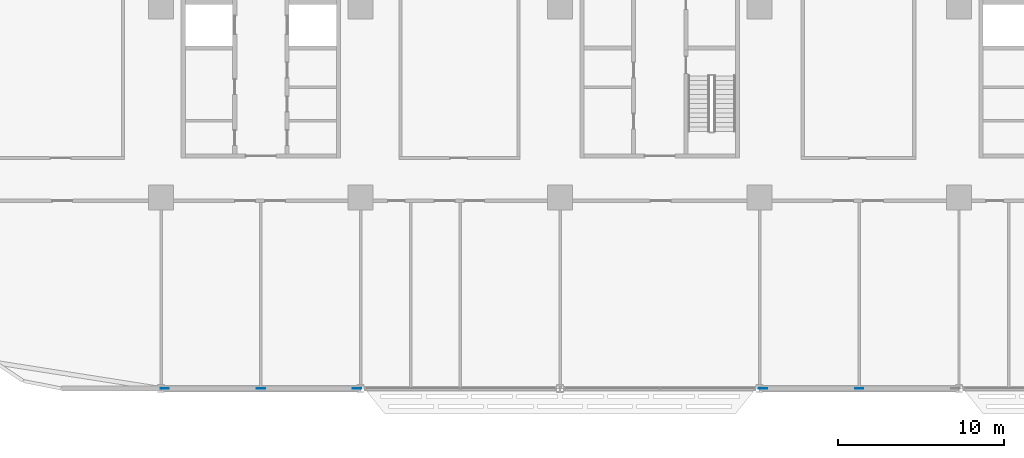
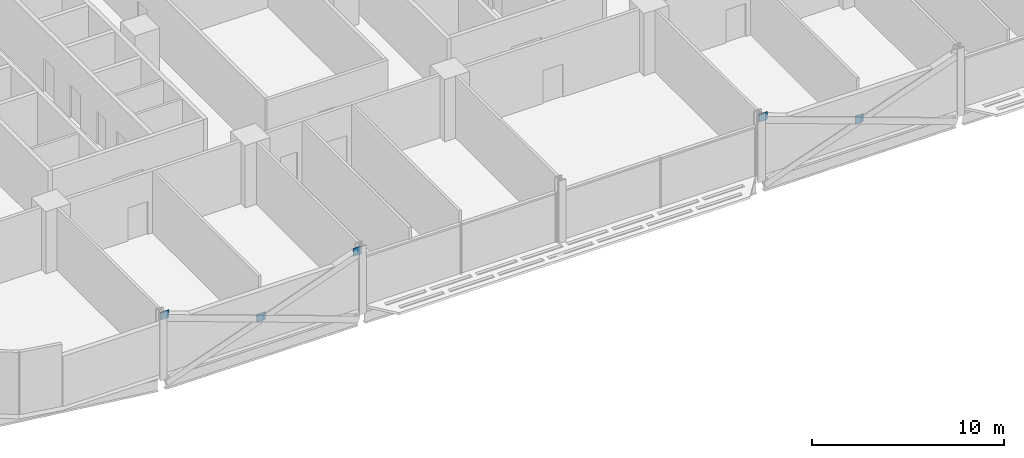
# One storey, part 19 of 29: 5 discrete accessories.
"""IFC4 building model written with IfcOpenShell, lengths in metres."""

from ifc_helpers import new_model, si_unit, direction, frame, origin, origin_2d, place, context, subcontext, project, spatial, rectangle, extrude, material, layer, layer_set, type_object, element, save


model = new_model("IFC4")

# Units and contexts
model_context = context("Model", 3, precision=1e-05, world=origin(), true_north=direction((0.0, 1.0)))
body_context = subcontext(model_context, "Body", "Model", "MODEL_VIEW")
ifc_project = project(units=[si_unit("LENGTHUNIT", "METRE"), si_unit("AREAUNIT", "SQUARE_METRE"), si_unit("VOLUMEUNIT", "CUBIC_METRE"), si_unit("PLANEANGLEUNIT", "RADIAN"), si_unit("MASSUNIT", "GRAM", prefix="KILO")], contexts=[model_context])

# Site, building, storey
site_placement = place(None, origin())
site = spatial("IfcSite", under=ifc_project, at=site_placement, CompositionType="ELEMENT")
building_placement = place(site_placement, origin())
building = spatial("IfcBuilding", under=site, at=building_placement, Name="Mahtab Terrace Research Tower", CompositionType="ELEMENT")
storey_placement = place(building_placement, frame((0.0, 0.0, 54.60009765625)))
storey = spatial("IfcBuildingStorey", under=building, at=storey_placement, Name="L12", CompositionType="ELEMENT", Elevation=54.60009765625)

# Discrete accessories
ifc_material = material(Name="Steel ASTM A992 Gr 50", Category="steel")
ifc_layer = layer(ifc_material, 0.030029296875)
ifc_layer_set = layer_set([ifc_layer], Name="Gusset plate 500x500x30")
discrete_accessory_type = type_object("IfcDiscreteAccessoryType", Name="Gusset plate 500x500x30", PredefinedType="USERDEFINED", material=ifc_layer_set)
for number, where, z_axis, x_axis, name in (
    (1, (-29.787841796875, -23.0, 3.331298828125), (0.0, 0.0, 1.0), (1.0, 0.0, 0.0), "Gusset plate"),
    (2, (-24.0, -23.0, 1.181396484375), (0.0, 0.0, 1.0), (1.0, 0.0, 0.0), "Gusset plate"),
    (3, (-18.212158203125, -23.0, 3.331298828125), (0.0, 0.0, 1.0), (1.0, 0.0, 0.0), "Gusset plate"),
    (4, (6.212158203125, -23.0, 3.331298828125), (0.0, 0.0, 1.0), (1.0, 0.0, 0.0), "Gusset plate"),
    (5, (12.0, -23.0, 1.181396484375), (0.0, 0.0, 1.0), (1.0, 0.0, 0.0), "Gusset plate"),
):
    element("IfcDiscreteAccessory", number, at=place(storey_placement, frame(where, z_axis=z_axis, x_axis=x_axis)), inside=storey, type_object=discrete_accessory_type, Name=name, ObjectType="GUSSET PLATE", PredefinedType="USERDEFINED", context=body_context, shape_type="SweptSolid", body=[
        extrude(rectangle(XDim=0.5, YDim=0.030029296875, at=origin_2d()), origin(), (0.0, 0.0, 1.0), 0.5),
    ])

save(model, "model.ifc")
